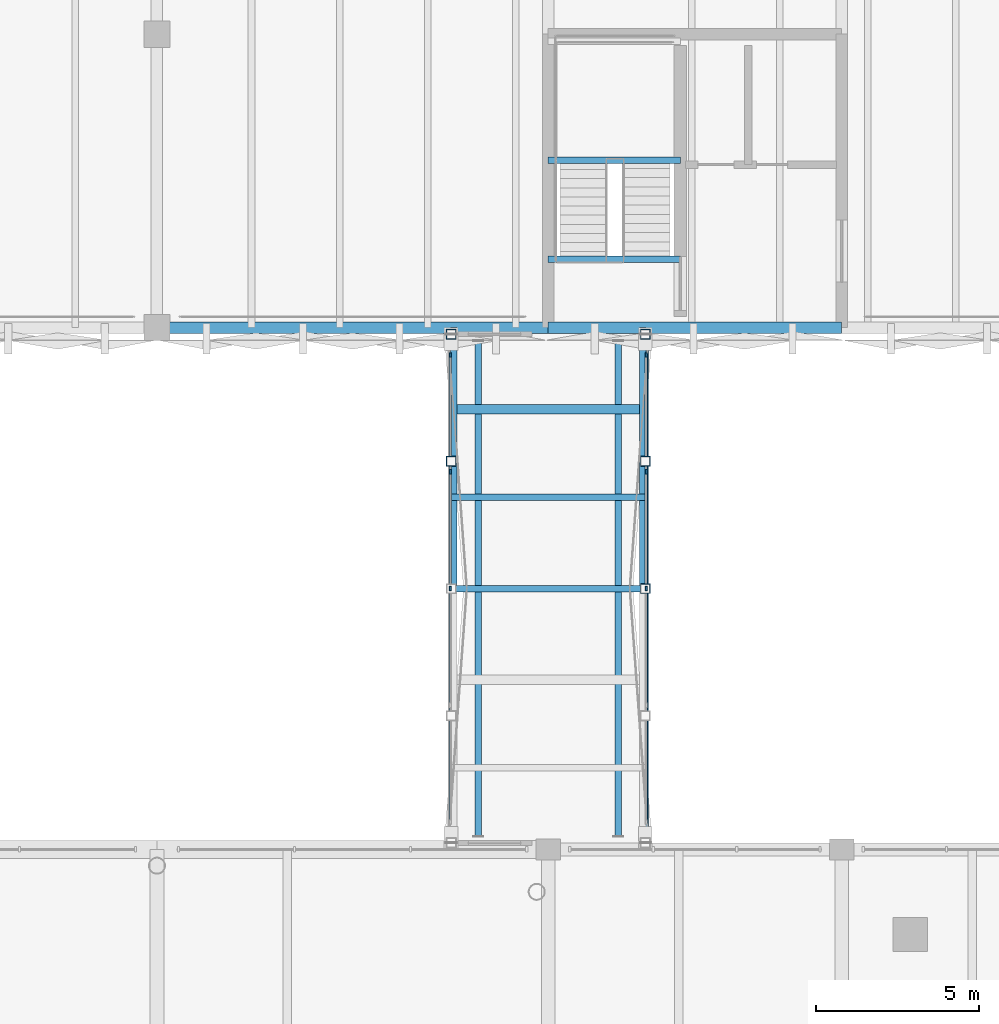
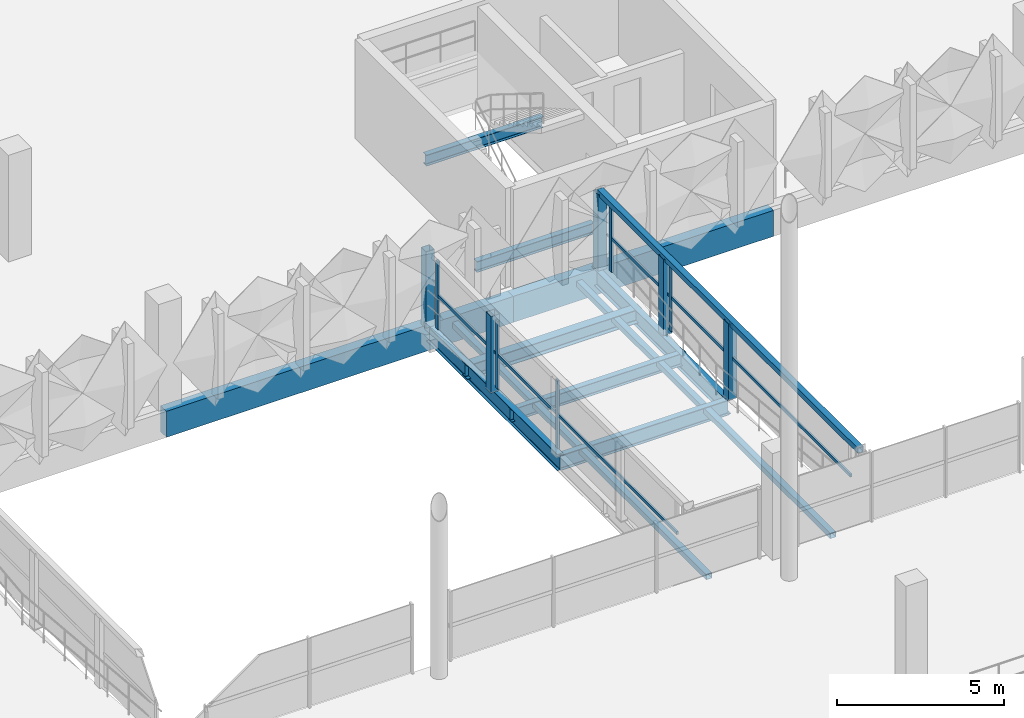
# One storey, part 38 of 123: 16 members, 9 beams, 2 elements without a shape of their own.
"""IFC4 building model written with IfcOpenShell, lengths in metres."""

from ifc_helpers import new_model, si_unit, derived_unit, direction, frame, origin, origin_2d, place, context, subcontext, project, spatial, rectangle, hollow_rectangle, i_section, extrude, material, layer, layer_set, material_profile, profile_set, type_object, element, aggregate, save


model = new_model("IFC4")

# Units and contexts
model_context = context("Model", 3, precision=1e-05, world=origin(), true_north=direction((0.0, 1.0)))
body_context = subcontext(model_context, "Body", "Model", "MODEL_VIEW")
ifc_project = project(units=[si_unit("LENGTHUNIT", "METRE"), si_unit("AREAUNIT", "SQUARE_METRE"), si_unit("VOLUMEUNIT", "CUBIC_METRE"), si_unit("PLANEANGLEUNIT", "RADIAN"), si_unit("MASSUNIT", "GRAM", prefix="KILO"), si_unit("THERMODYNAMICTEMPERATUREUNIT", "KELVIN"), derived_unit("THERMALTRANSMITTANCEUNIT", [(si_unit("POWERUNIT", "WATT"), 1), (si_unit("AREAUNIT", "SQUARE_METRE"), -1), (si_unit("THERMODYNAMICTEMPERATUREUNIT", "KELVIN"), -1)])], contexts=[model_context])

# Site, building, storey
site_placement = place(None, origin())
site = spatial("IfcSite", under=ifc_project, at=site_placement, CompositionType="ELEMENT")
building_placement = place(site_placement, origin())
building = spatial("IfcBuilding", under=site, at=building_placement, Name="Haiyu Intermodal Mobility Hub", CompositionType="ELEMENT")
storey_placement = place(building_placement, frame((0.0, 0.0, 5.60009765625)))
storey = spatial("IfcBuildingStorey", under=building, at=storey_placement, Name="L01", CompositionType="ELEMENT", Elevation=5.60009765625)

# Beams
ifc_material_1 = material(Name="Steel Q355C", Category="steel")
ifc_material_profile_1 = material_profile(ifc_material_1, i_section(OverallWidth=0.199951171875, OverallDepth=0.60009765625, WebThickness=0.010986328125, FlangeThickness=0.01708984375, FilletRadius=0.02197265625, at=origin_2d()), Name="HN600x200x11x17")
ifc_profile_set_1 = profile_set([ifc_material_profile_1], Name="Steel Q355C")
beam_type_1 = type_object("IfcBeamType", Name="BM-SB04-EXT", PredefinedType="BEAM", material=ifc_profile_set_1)
for number, where, z_axis, x_axis, name in (
    (1, (117.10009765625, 96.0, -0.56005859375), (0.0, 1.0, 0.0), (-1.0, 0.0, 0.0), "BM-BRG-L01-012"),
    (2, (122.89990234375, 96.0, -0.56005859375), (0.0, 1.0, 0.0), (-1.0, 0.0, 0.0), "BM-BRG-L01-014"),
):
    element("IfcBeam", number, at=place(storey_placement, frame(where, z_axis=z_axis, x_axis=x_axis)), inside=storey, type_object=beam_type_1, Name=name, PredefinedType="BEAM", context=body_context, shape_type="SweptSolid", body=[
        extrude(i_section(OverallWidth=0.199951171875, OverallDepth=0.60009765625, WebThickness=0.010986328125, FlangeThickness=0.01708984375, FilletRadius=0.02197265625, at=origin_2d()), origin(), (0.0, 0.0, 1.0), 8.0),
    ])
ifc_material_profile_2 = material_profile(ifc_material_1, i_section(OverallWidth=0.199951171875, OverallDepth=0.550048828125, WebThickness=0.010009765625, FlangeThickness=0.01611328125, FilletRadius=0.02001953125, at=origin_2d()), Name="HN550x200x10x16")
ifc_profile_set_2 = profile_set([ifc_material_profile_2], Name="Steel Q355C")
beam_type_2 = type_object("IfcBeamType", Name="BM-SB05-EXT", PredefinedType="BEAM", material=ifc_profile_set_2)
beam_1_placement = place(storey_placement, frame((117.10009765625, 96.0, -0.53515625), z_axis=(1.0, 0.0, 0.0), x_axis=(0.0, 1.0, 0.0)))
element("IfcBeam", 3, at=beam_1_placement, inside=storey, type_object=beam_type_2, Name="BM-BRGH-L01-010", PredefinedType="BEAM", context=body_context, shape_type="SweptSolid", body=[
    extrude(i_section(OverallWidth=0.199951171875, OverallDepth=0.550048828125, WebThickness=0.010009765625, FlangeThickness=0.01611328125, FilletRadius=0.02001953125, at=origin_2d()), origin(), (0.0, 0.0, 1.0), 5.7998046875),
])
ifc_material_profile_3 = material_profile(ifc_material_1, i_section(OverallWidth=0.199951171875, OverallDepth=0.449951171875, WebThickness=0.009033203125, FlangeThickness=0.013916015625, FilletRadius=0.01806640625, at=origin_2d()), Name="HN450x200x9x14")
ifc_profile_set_3 = profile_set([ifc_material_profile_3], Name="Steel Q355C")
beam_type_3 = type_object("IfcBeamType", Name="BM-SB07-EXT", PredefinedType="JOIST", material=ifc_profile_set_3)
beam_2_placement = place(storey_placement, frame((116.97998046875, 98.800048828125, -0.485107421875), z_axis=(1.0, 0.0, 0.0), x_axis=(0.0, 1.0, 0.0)))
element("IfcBeam", 4, at=beam_2_placement, inside=storey, type_object=beam_type_3, Name="BM-BRGJ-L01-017", PredefinedType="JOIST", context=body_context, shape_type="SweptSolid", body=[
    extrude(i_section(OverallWidth=0.199951171875, OverallDepth=0.449951171875, WebThickness=0.009033203125, FlangeThickness=0.013916015625, FilletRadius=0.01806640625, at=origin_2d()), origin(), (0.0, 0.0, 1.0), 6.0400390625),
])
ifc_material_profile_4 = material_profile(ifc_material_1, i_section(OverallWidth=0.199951171875, OverallDepth=0.39990234375, WebThickness=0.008056640625, FlangeThickness=0.012939453125, FilletRadius=0.01611328125, at=origin_2d()), Name="HN400x200x8x13")
ifc_profile_set_4 = profile_set([ifc_material_profile_4], Name="Steel Q355C")
beam_type_4 = type_object("IfcBeamType", Name="BM-SB08", PredefinedType="JOIST", material=ifc_profile_set_4)
for number, where, z_axis, x_axis, name in (
    (5, (120.0, 106.10009765625, -0.525146484375), (1.0, 0.0, 0.0), (0.0, 1.0, 0.0), "Stair Arrival Trimmer Beam C6-L00"),
    (6, (120.0, 109.1298828125, 1.52490234375), (1.0, 0.0, 0.0), (0.0, 1.0, 0.0), "Stair Half-Landing Front Beam C6-L01"),
):
    element("IfcBeam", number, at=place(storey_placement, frame(where, z_axis=z_axis, x_axis=x_axis)), inside=storey, type_object=beam_type_4, Name=name, PredefinedType="JOIST", context=body_context, shape_type="SweptSolid", body=[
        extrude(i_section(OverallWidth=0.199951171875, OverallDepth=0.39990234375, WebThickness=0.008056640625, FlangeThickness=0.012939453125, FilletRadius=0.01611328125, at=origin_2d()), origin(), (0.0, 0.0, 1.0), 4.050048828125),
    ])
ifc_material_profile_5 = material_profile(ifc_material_1, i_section(OverallWidth=0.300048828125, OverallDepth=0.5, WebThickness=0.010986328125, FlangeThickness=0.01806640625, FilletRadius=0.02001953125, at=origin_2d()), Name="HM500x300x11x18")
ifc_profile_set_5 = profile_set([ifc_material_profile_5], Name="Steel Q355C")
beam_type_5 = type_object("IfcBeamType", Name="BM-SB12", PredefinedType="BEAM", material=ifc_profile_set_5)
beam_3_placement = place(storey_placement, frame((116.97998046875, 101.5, -0.510009765625), z_axis=(1.0, 0.0, 0.0), x_axis=(0.0, 1.0, 0.0)))
element("IfcBeam", 7, at=beam_3_placement, inside=storey, type_object=beam_type_5, Name="BM-BRGJ-L01-018", PredefinedType="BEAM", context=body_context, shape_type="SweptSolid", body=[
    extrude(i_section(OverallWidth=0.300048828125, OverallDepth=0.5, WebThickness=0.010986328125, FlangeThickness=0.01806640625, FilletRadius=0.02001953125, at=origin_2d()), origin(), (0.0, 0.0, 1.0), 6.0400390625),
])
ifc_material_2 = material(Name="Precast concrete C40", Category="concrete")
ifc_material_profile_6 = material_profile(ifc_material_2, rectangle(XDim=0.35009765625, YDim=0.949951171875, at=origin_2d()), Name="PC350x950")
ifc_profile_set_6 = profile_set([ifc_material_profile_6], Name="Precast concrete C40")
beam_type_6 = type_object("IfcBeamType", Name="BM-SP01", PredefinedType="SPANDREL", material=ifc_profile_set_6)
beam_4_placement = place(storey_placement, frame((108.0, 104.0, -0.75), z_axis=(1.0, 0.0, 0.0), x_axis=(0.0, 1.0, 0.0)))
element("IfcBeam", 8, at=beam_4_placement, inside=storey, type_object=beam_type_6, Name="BM-V4G-L01-011", PredefinedType="SPANDREL", context=body_context, shape_type="SweptSolid", body=[
    extrude(rectangle(XDim=0.35009765625, YDim=0.949951171875, at=origin_2d()), origin(), (0.0, 0.0, 1.0), 12.0),
])
beam_5_placement = place(storey_placement, frame((120.0, 104.0, -0.75), z_axis=(1.0, 0.0, 0.0), x_axis=(0.0, 1.0, 0.0)))
element("IfcBeam", 9, at=beam_5_placement, inside=storey, type_object=beam_type_6, Name="BM-V4G-L01-012", PredefinedType="SPANDREL", context=body_context, shape_type="SweptSolid", body=[
    extrude(rectangle(XDim=0.35009765625, YDim=0.949951171875, at=origin_2d()), origin(), (0.0, 0.0, 1.0), 9.0),
])

# Curtain wall, members
ifc_material_3 = material(Name="Low-e laminated insulating glass", Category="glass")
ifc_layer = layer(ifc_material_3, 0.2099609375)
ifc_layer_set = layer_set([ifc_layer], Name="Low-e laminated insulating glass")
curtain_wall_type = type_object("IfcCurtainWallType", Name="CW-CW04", PredefinedType="NOTDEFINED", material=ifc_layer_set)
curtain_wall_1_placement = place(storey_placement, origin())
curtain_wall_1 = element("IfcCurtainWall", 10, at=curtain_wall_1_placement, inside=storey, type_object=curtain_wall_type, Name="Curtain Wall CW-BRG-BEW-L01-082", PredefinedType="NOTDEFINED")
ifc_material_4 = material(Name="Anodised aluminium 6063-T6", Category="aluminium")
ifc_material_profile_7 = material_profile(ifc_material_4, rectangle(XDim=0.06005859375, YDim=0.14501953125, at=origin_2d()), Name="ALU60x145")
ifc_profile_set_7 = profile_set([ifc_material_profile_7], Name="Anodised aluminium 6063-T6")
member_type_1 = type_object("IfcMemberType", Name="CWM-ML03", PredefinedType="MULLION", material=ifc_profile_set_7)
member_1_placement = place(storey_placement, frame((117.0, 96.0, 0.0), z_axis=(0.0, 0.0, 1.0), x_axis=(1.0, 0.0, 0.0)))
member_1 = element("IfcMember", 11, at=member_1_placement, type_object=member_type_1, Name="CW-BRG-BEW-L01-082-ML03", PredefinedType="MULLION", context=body_context, shape_type="SweptSolid", body=[
    extrude(rectangle(XDim=0.06005859375, YDim=0.14501953125, at=origin_2d()), origin(), (0.0, 0.0, 1.0), 2.47998046875),
])
member_2_placement = place(storey_placement, frame((117.0, 99.580078125, 0.0), z_axis=(0.0, 0.0, 1.0), x_axis=(1.0, 0.0, 0.0)))
member_2 = element("IfcMember", 12, at=member_2_placement, type_object=member_type_1, Name="CW-BRG-BEW-L01-082-ML04", PredefinedType="MULLION", context=body_context, shape_type="SweptSolid", body=[
    extrude(rectangle(XDim=0.06005859375, YDim=0.14501953125, at=origin_2d()), origin(), (0.0, 0.0, 1.0), 2.47998046875),
])
member_3_placement = place(storey_placement, frame((117.0, 103.159912109375, 0.0), z_axis=(0.0, 0.0, 1.0), x_axis=(1.0, 0.0, 0.0)))
member_3 = element("IfcMember", 13, at=member_3_placement, type_object=member_type_1, Name="CW-BRG-BEW-L01-082-ML05", PredefinedType="MULLION", context=body_context, shape_type="SweptSolid", body=[
    extrude(rectangle(XDim=0.06005859375, YDim=0.14501953125, at=origin_2d()), origin(), (0.0, 0.0, 1.0), 2.47998046875),
])

curtain_wall_2_placement = place(storey_placement, origin())
curtain_wall_2 = element("IfcCurtainWall", 14, at=curtain_wall_2_placement, inside=storey, type_object=curtain_wall_type, Name="Curtain Wall CW-BRG-BEE-L01-083", PredefinedType="NOTDEFINED")
member_4_placement = place(storey_placement, frame((123.0, 96.0, 0.0), z_axis=(0.0, 0.0, 1.0), x_axis=(1.0, 0.0, 0.0)))
member_4 = element("IfcMember", 15, at=member_4_placement, type_object=member_type_1, Name="CW-BRG-BEE-L01-083-ML03", PredefinedType="MULLION", context=body_context, shape_type="SweptSolid", body=[
    extrude(rectangle(XDim=0.06005859375, YDim=0.14501953125, at=origin_2d()), origin(), (0.0, 0.0, 1.0), 2.47998046875),
])
member_5_placement = place(storey_placement, frame((123.0, 99.580078125, 0.0), z_axis=(0.0, 0.0, 1.0), x_axis=(1.0, 0.0, 0.0)))
member_5 = element("IfcMember", 16, at=member_5_placement, type_object=member_type_1, Name="CW-BRG-BEE-L01-083-ML04", PredefinedType="MULLION", context=body_context, shape_type="SweptSolid", body=[
    extrude(rectangle(XDim=0.06005859375, YDim=0.14501953125, at=origin_2d()), origin(), (0.0, 0.0, 1.0), 2.47998046875),
])
member_6_placement = place(storey_placement, frame((123.0, 103.159912109375, 0.0), z_axis=(0.0, 0.0, 1.0), x_axis=(1.0, 0.0, 0.0)))
member_6 = element("IfcMember", 17, at=member_6_placement, type_object=member_type_1, Name="CW-BRG-BEE-L01-083-ML05", PredefinedType="MULLION", context=body_context, shape_type="SweptSolid", body=[
    extrude(rectangle(XDim=0.06005859375, YDim=0.14501953125, at=origin_2d()), origin(), (0.0, 0.0, 1.0), 2.47998046875),
])

# Member
ifc_material_profile_8 = material_profile(ifc_material_4, rectangle(XDim=0.06005859375, YDim=0.114990234375, at=origin_2d()), Name="ALU60x115")
ifc_profile_set_8 = profile_set([ifc_material_profile_8], Name="Anodised aluminium 6063-T6")
member_type_2 = type_object("IfcMemberType", Name="CWM-TR03", PredefinedType="USERDEFINED", material=ifc_profile_set_8)
member_7_placement = place(storey_placement, frame((117.0, 88.800048828125, 1.239990234375), z_axis=(0.0, 1.0, 0.0), x_axis=(-1.0, 0.0, 0.0)))
member_7 = element("IfcMember", 18, at=member_7_placement, type_object=member_type_2, Name="CW-BRG-BEW-L01-082-TR01", ObjectType="TRANSOM", PredefinedType="USERDEFINED", context=body_context, shape_type="SweptSolid", body=[
    extrude(rectangle(XDim=0.06005859375, YDim=0.114990234375, at=origin_2d()), origin(), (0.0, 0.0, 1.0), 14.39990234375),
])

aggregate(curtain_wall_1, [member_1, member_2, member_3, member_7])

member_8_placement = place(storey_placement, frame((123.0, 88.800048828125, 1.239990234375), z_axis=(0.0, 1.0, 0.0), x_axis=(-1.0, 0.0, 0.0)))
member_8 = element("IfcMember", 19, at=member_8_placement, type_object=member_type_2, Name="CW-BRG-BEE-L01-083-TR01", ObjectType="TRANSOM", PredefinedType="USERDEFINED", context=body_context, shape_type="SweptSolid", body=[
    extrude(rectangle(XDim=0.06005859375, YDim=0.114990234375, at=origin_2d()), origin(), (0.0, 0.0, 1.0), 14.39990234375),
])

aggregate(curtain_wall_2, [member_4, member_5, member_6, member_8])

# Members
ifc_material_profile_9 = material_profile(ifc_material_1, hollow_rectangle(XDim=0.300048828125, YDim=0.300048828125, WallThickness=0.011962890625, at=origin_2d()), Name="SHS300x300x12")
ifc_profile_set_9 = profile_set([ifc_material_profile_9], Name="Steel Q355C")
member_type_3 = type_object("IfcMemberType", Name="MEM-BR04", PredefinedType="BRACE", material=ifc_profile_set_9)
for number, where, z_axis, x_axis, name in (
    (20, (117.02001953125, 99.89990234375, -0.239990234375), (0.0, 0.0, 1.0), (1.0, 0.0, 0.0), "Bridge Vierendeel Frame Post BEW-4"),
    (21, (117.02001953125, 103.800048828125, -0.239990234375), (0.0, 0.0, 1.0), (1.0, 0.0, 0.0), "Bridge Vierendeel Frame Post BEW-5"),
    (22, (122.97998046875, 96.0, -0.239990234375), (0.0, 0.0, 1.0), (1.0, 0.0, 0.0), "Bridge Vierendeel Frame Post BEE-3"),
    (23, (122.97998046875, 99.89990234375, -0.239990234375), (0.0, 0.0, 1.0), (1.0, 0.0, 0.0), "Bridge Vierendeel Frame Post BEE-4"),
    (24, (122.97998046875, 103.800048828125, -0.239990234375), (0.0, 0.0, 1.0), (1.0, 0.0, 0.0), "Bridge Vierendeel Frame Post BEE-5"),
):
    element("IfcMember", number, at=place(storey_placement, frame(where, z_axis=z_axis, x_axis=x_axis)), inside=storey, type_object=member_type_3, Name=name, PredefinedType="BRACE", context=body_context, shape_type="SweptSolid", body=[
        extrude(hollow_rectangle(XDim=0.300048828125, YDim=0.300048828125, WallThickness=0.011962890625, at=origin_2d()), origin(), (0.0, 0.0, 1.0), 2.789794921875),
    ])
ifc_material_profile_10 = material_profile(ifc_material_1, hollow_rectangle(XDim=0.199951171875, YDim=0.199951171875, WallThickness=0.008056640625, at=origin_2d()), Name="SHS200x200x8")
ifc_profile_set_10 = profile_set([ifc_material_profile_10], Name="Steel Q355C")
member_type_4 = type_object("IfcMemberType", Name="MEM-CH02", PredefinedType="CHORD", material=ifc_profile_set_10)
member_9_placement = place(storey_placement, frame((122.97998046875, 88.199951171875, 2.5498046875), z_axis=(0.0, 1.0, 0.0), x_axis=(-1.0, 0.0, 0.0)))
element("IfcMember", 25, at=member_9_placement, inside=storey, type_object=member_type_4, Name="MEM-BRGTC-BEE", PredefinedType="CHORD", context=body_context, shape_type="SweptSolid", body=[
    extrude(hollow_rectangle(XDim=0.199951171875, YDim=0.199951171875, WallThickness=0.008056640625, at=origin_2d()), origin(), (0.0, 0.0, 1.0), 15.60009765625),
])
ifc_material_profile_11 = material_profile(ifc_material_1, hollow_rectangle(XDim=0.199951171875, YDim=0.199951171875, WallThickness=0.008056640625, at=origin_2d()), Name="SHS200x200x8")
ifc_profile_set_11 = profile_set([ifc_material_profile_11], Name="Steel Q355C")
member_type_5 = type_object("IfcMemberType", Name="MEM-CH02-INT", PredefinedType="CHORD", material=ifc_profile_set_11)
for number, where, z_axis, x_axis, name in (
    (26, (117.85400390625, 88.39990234375, -0.400146484375), (0.0, 1.0, 0.0), (-1.0, 0.0, 0.0), "MEM-BRGBC-BEW"),
    (27, (122.14599609375, 88.39990234375, -0.400146484375), (0.0, 1.0, 0.0), (-1.0, 0.0, 0.0), "MEM-BRGBC-BEE"),
):
    element("IfcMember", number, at=place(storey_placement, frame(where, z_axis=z_axis, x_axis=x_axis)), inside=storey, type_object=member_type_5, Name=name, PredefinedType="CHORD", context=body_context, shape_type="SweptSolid", body=[
        extrude(hollow_rectangle(XDim=0.199951171875, YDim=0.199951171875, WallThickness=0.008056640625, at=origin_2d()), origin(), (0.0, 0.0, 1.0), 15.2001953125),
    ])

save(model, "model.ifc")
